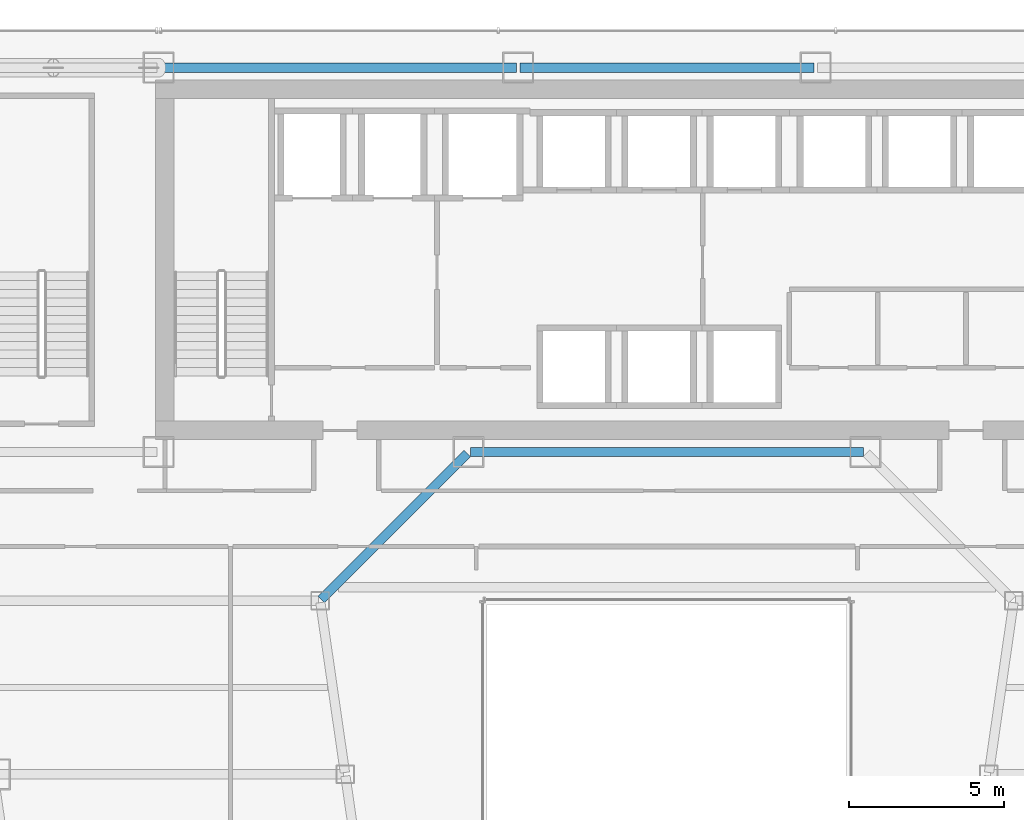
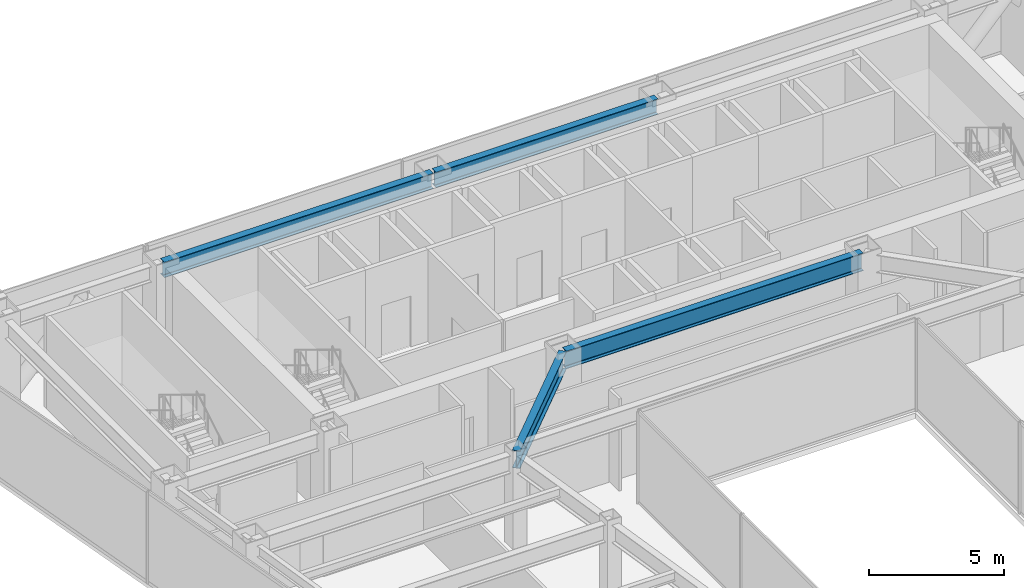
# One storey, part 22 of 37: 4 beams.
"""IFC4 building model written with IfcOpenShell, lengths in metres."""

from ifc_helpers import new_model, si_unit, direction, frame, origin, origin_2d, place, context, subcontext, project, spatial, i_section, extrude, material, material_profile, profile_set, type_object, element, save


model = new_model("IFC4")

# Units and contexts
model_context = context("Model", 3, precision=1e-05, world=origin(), true_north=direction((0.0, 1.0)))
body_context = subcontext(model_context, "Body", "Model", "MODEL_VIEW")
ifc_project = project(units=[si_unit("LENGTHUNIT", "METRE"), si_unit("AREAUNIT", "SQUARE_METRE"), si_unit("VOLUMEUNIT", "CUBIC_METRE"), si_unit("PLANEANGLEUNIT", "RADIAN"), si_unit("MASSUNIT", "GRAM", prefix="KILO")], contexts=[model_context])

# Site, building, storey
site_placement = place(None, origin())
site = spatial("IfcSite", under=ifc_project, at=site_placement, CompositionType="ELEMENT")
building_placement = place(site_placement, origin())
building = spatial("IfcBuilding", under=site, at=building_placement, Name="Saevonmaru Cultural Tower", CompositionType="ELEMENT")
storey_placement = place(building_placement, frame((0.0, 0.0, 110.39990234375)))
storey = spatial("IfcBuildingStorey", under=building, at=storey_placement, Name="L23", CompositionType="ELEMENT", Elevation=110.39990234375)

# Beams
ifc_material_1 = material(Name="Steel SM420", Category="steel")
ifc_material_profile_1 = material_profile(ifc_material_1, i_section(OverallWidth=0.300048828125, OverallDepth=0.800048828125, WebThickness=0.013916015625, FlangeThickness=0.02587890625, FilletRadius=0.028076171875, at=origin_2d()), Name="H-800x300x14x26")
ifc_profile_set_1 = profile_set([ifc_material_profile_1], Name="Steel SM420")
beam_type_1 = type_object("IfcBeamType", Name="BM-G-H800", PredefinedType="BEAM", material=ifc_profile_set_1)
beam_1_placement = place(storey_placement, frame((23.659912109375, 42.39990234375, 3.75), z_axis=(1.0, 0.0, 0.0), x_axis=(0.0, 1.0, 0.0)))
element("IfcBeam", 1, at=beam_1_placement, inside=storey, type_object=beam_type_1, Name="L23 Core South Girder 3", PredefinedType="BEAM", context=body_context, shape_type="SweptSolid", body=[
    extrude(i_section(OverallWidth=0.300048828125, OverallDepth=0.800048828125, WebThickness=0.013916015625, FlangeThickness=0.02587890625, FilletRadius=0.028076171875, at=origin_2d()), origin(), (0.0, 0.0, 1.0), 12.68017578125),
])
beam_2_placement = place(storey_placement, frame((18.850341796875, 37.642578125, 3.75), z_axis=(0.706538566564, 0.707674539572, 0.0), x_axis=(-0.707674539572, 0.706538566564, 0.0)))
element("IfcBeam", 2, at=beam_2_placement, inside=storey, type_object=beam_type_1, Name="L23 West Atrium Girder 5", PredefinedType="BEAM", context=body_context, shape_type="SweptSolid", body=[
    extrude(i_section(OverallWidth=0.300048828125, OverallDepth=0.800048828125, WebThickness=0.013916015625, FlangeThickness=0.02587890625, FilletRadius=0.028076171875, at=origin_2d()), origin(), (0.0, 0.0, 1.0), 6.662353515625),
])
ifc_material_2 = material(Name="Steel SM355", Category="steel")
ifc_material_profile_2 = material_profile(ifc_material_2, i_section(OverallWidth=0.300048828125, OverallDepth=0.699951171875, WebThickness=0.012939453125, FlangeThickness=0.02392578125, FilletRadius=0.02587890625, at=origin_2d()), Name="H-700x300x13x24")
ifc_profile_set_2 = profile_set([ifc_material_profile_2], Name="Steel SM355")
beam_type_2 = type_object("IfcBeamType", Name="BM-SP-H700", PredefinedType="SPANDREL", material=ifc_profile_set_2)
beam_3_placement = place(storey_placement, frame((13.659912109375, 54.800048828125, 3.800048828125), z_axis=(1.0, 0.0, 0.0), x_axis=(0.0, 1.0, 0.0)))
element("IfcBeam", 3, at=beam_3_placement, inside=storey, type_object=beam_type_2, Name="L23 North Spine Girder 2", PredefinedType="SPANDREL", context=body_context, shape_type="SweptSolid", body=[
    extrude(i_section(OverallWidth=0.300048828125, OverallDepth=0.699951171875, WebThickness=0.012939453125, FlangeThickness=0.02392578125, FilletRadius=0.02587890625, at=origin_2d()), origin(), (0.0, 0.0, 1.0), 11.47998046875),
])
beam_4_placement = place(storey_placement, frame((25.260009765625, 54.800048828125, 3.800048828125), z_axis=(1.0, 0.0, 0.0), x_axis=(0.0, 1.0, 0.0)))
element("IfcBeam", 4, at=beam_4_placement, inside=storey, type_object=beam_type_2, Name="L23 North Spine Girder 3", PredefinedType="SPANDREL", context=body_context, shape_type="SweptSolid", body=[
    extrude(i_section(OverallWidth=0.300048828125, OverallDepth=0.699951171875, WebThickness=0.012939453125, FlangeThickness=0.02392578125, FilletRadius=0.02587890625, at=origin_2d()), origin(), (0.0, 0.0, 1.0), 9.47998046875),
])

save(model, "model.ifc")
